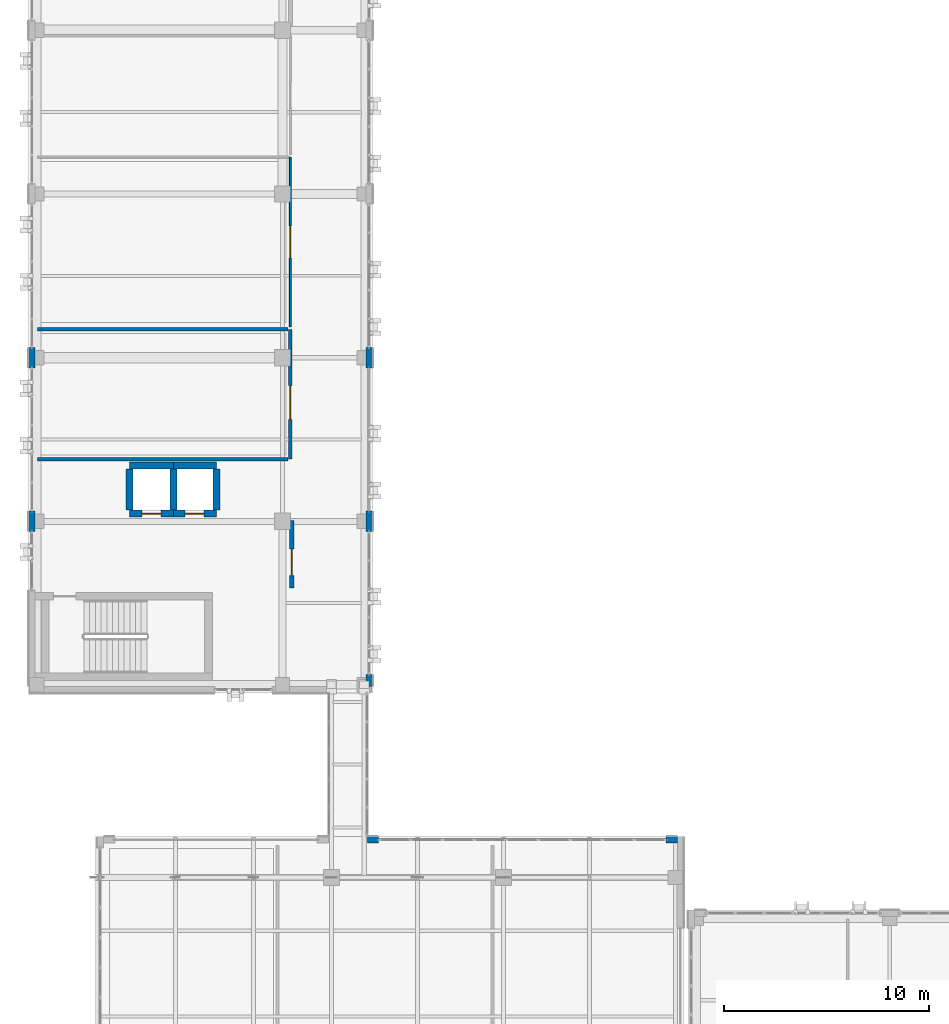
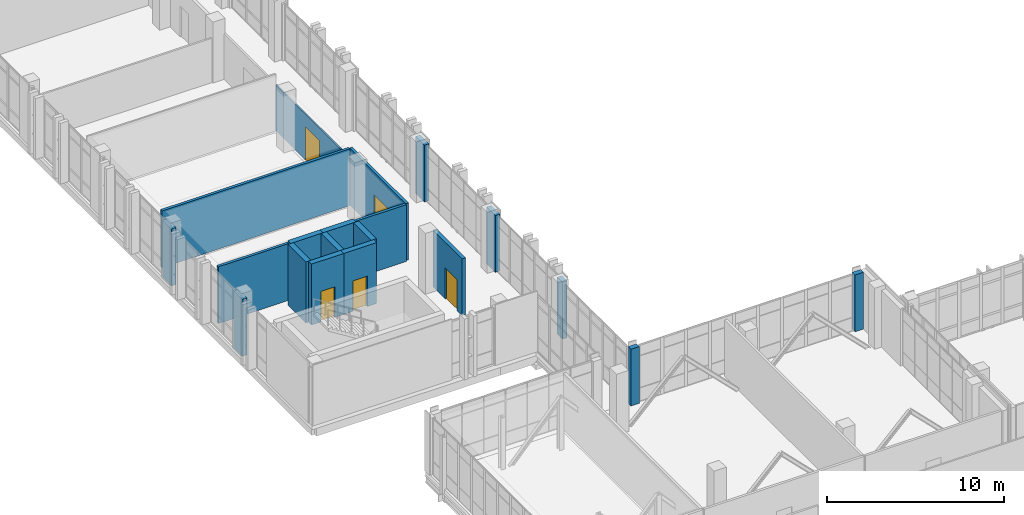
# One storey, part 155 of 193: 19 walls, 5 doors, 5 openings.
"""IFC4 building model written with IfcOpenShell, lengths in metres."""

import ifcopenshell
import ifcopenshell.guid

model = None  # the IFC model being written
_history = None  # IfcOwnerHistory: only IFC2X3 demands one
_inside = {}  # id of a spatial element -> (the spatial element, [elements in it])
_under = {}  # id of a project, library or spatial element -> (it, [spatial elements below it])
_declared = {}  # id of a project -> (the project, [libraries it declares])
_typed = {}  # id of a type object -> (the type object, [elements of that type])
_made_of = {}  # id of a material, layer set ... -> (it, [elements and type objects made of it])


def new_model(schema):
    """Start an empty IFC model of exactly this schema.

    Asked for "IFC4X3", IfcOpenShell would pick the latest addendum, in which some entities
    have other attributes; the version numbers below select the first issue.
    IFC2X3 requires an IfcOwnerHistory on every rooted entity: one is made here for all.
    """
    global model, _history
    if schema == "IFC4X3":
        model = ifcopenshell.file(schema_version=(4, 3, 0, 0))
    else:
        model = ifcopenshell.file(schema=schema)
    _inside.clear()
    _under.clear()
    _declared.clear()
    _typed.clear()
    _made_of.clear()
    _history = None
    if model.schema == "IFC2X3":
        org = make("IfcOrganization", Name="unknown")
        user = make(
            "IfcPersonAndOrganization",
            ThePerson=make("IfcPerson", FamilyName="unknown"),
            TheOrganization=org,
        )
        app = make(
            "IfcApplication",
            ApplicationDeveloper=org,
            Version="unknown",
            ApplicationFullName="unknown",
            ApplicationIdentifier="unknown",
        )
        _history = make(
            "IfcOwnerHistory",
            OwningUser=user,
            OwningApplication=app,
            ChangeAction="ADDED",
            CreationDate=0,
        )
    return model


def make(cls, **values):
    """One entity of the class cls with the attributes given. An attribute that is None is left unset."""
    return model.create_entity(
        cls, **{name: value for name, value in values.items() if value is not None}
    )


def rooted(cls, **values):
    """An entity with a GlobalId (a new one), such as an element, a storey or a relation."""
    return make(cls, GlobalId=ifcopenshell.guid.new(), OwnerHistory=_history, **values)


def si_unit(unit_type, name, prefix=None):
    """IfcSIUnit, for example si_unit("LENGTHUNIT", "METRE", prefix="MILLI")."""
    return make("IfcSIUnit", UnitType=unit_type, Prefix=prefix, Name=name)


def assignment(units):
    """IfcUnitAssignment: the units of a project."""
    return None if units is None else make("IfcUnitAssignment", Units=units)


def point(xyz):
    """IfcCartesianPoint."""
    return None if xyz is None else make("IfcCartesianPoint", Coordinates=xyz)


def direction(xyz):
    """IfcDirection."""
    return None if xyz is None else make("IfcDirection", DirectionRatios=xyz)


def frame(location, z_axis=None, x_axis=None):
    """IfcAxis2Placement3D, a coordinate frame: its origin and axes. An axis left out is left unset."""
    return make(
        "IfcAxis2Placement3D",
        Location=point(location),
        Axis=direction(z_axis),
        RefDirection=direction(x_axis),
    )


def frame_2d(location, x_axis=None):
    """IfcAxis2Placement2D, a coordinate frame in the plane: its origin and x axis."""
    return make(
        "IfcAxis2Placement2D", Location=point(location), RefDirection=direction(x_axis)
    )


def origin():
    """The frame at (0, 0, 0) with its axes left unset."""
    return frame((0.0, 0.0, 0.0))


def place(relative_to, where):
    """IfcLocalPlacement: puts the frame where relative to a parent placement (None: the world)."""
    return make(
        "IfcLocalPlacement", PlacementRelTo=relative_to, RelativePlacement=where
    )


def context(
    kind, dimensions, precision=None, world=None, true_north=None, identifier=None
):
    """IfcGeometricRepresentationContext, for example the 3D "Model" context."""
    return make(
        "IfcGeometricRepresentationContext",
        ContextIdentifier=identifier,
        ContextType=kind,
        CoordinateSpaceDimension=dimensions,
        Precision=precision,
        WorldCoordinateSystem=world,
        TrueNorth=true_north,
    )


def subcontext(parent, identifier, kind, view, scale=None):
    """IfcGeometricRepresentationSubContext, for example "Body" below "Model"."""
    return make(
        "IfcGeometricRepresentationSubContext",
        ContextIdentifier=identifier,
        ContextType=kind,
        ParentContext=parent,
        TargetScale=scale,
        TargetView=view,
    )


def project(units=None, contexts=None):
    """IfcProject with its units and contexts."""
    return rooted(
        "IfcProject",
        Name="project",
        RepresentationContexts=contexts,
        UnitsInContext=assignment(units),
    )


def spatial(cls, under=None, at=None, **own):
    """A site, building, storey or space (cls), placed at a placement, below another one or the project."""
    s = rooted(cls, ObjectPlacement=at, **own)
    if under is not None:
        _under.setdefault(under.id(), (under, []))[1].append(s)
    return s


def profile(cls, at=None, kind="AREA", **sizes):
    """A parametric profile (cls). Its sizes go by their IFC names, for example OverallWidth=200.0."""
    return make(cls, ProfileType=kind, Position=at, **sizes)


def rectangle(**sizes):
    """IfcRectangleProfileDef."""
    return profile("IfcRectangleProfileDef", **sizes)


def extrude(swept, where, along, depth):
    """IfcExtrudedAreaSolid: the profile swept, set in the frame where, extruded along a direction by depth."""
    return make(
        "IfcExtrudedAreaSolid",
        SweptArea=swept,
        Position=where,
        ExtrudedDirection=direction(along),
        Depth=depth,
    )


def shape(context_of_items, identifier, shape_type, items):
    """IfcShapeRepresentation: the items that make up one representation, for example the "Body"."""
    return make(
        "IfcShapeRepresentation",
        ContextOfItems=context_of_items,
        RepresentationIdentifier=identifier,
        RepresentationType=shape_type,
        Items=items,
    )


def material(Name=None, Category=None):
    """IfcMaterial."""
    return make("IfcMaterial", Name=Name, Category=Category)


def layer(
    of_material, thickness, ventilated=None, Name=None, Category=None, Priority=None
):
    """IfcMaterialLayer: one layer of a wall or slab, of a material (None: an air gap)."""
    return make(
        "IfcMaterialLayer",
        Material=of_material,
        LayerThickness=thickness,
        IsVentilated=ventilated,
        Name=Name,
        Category=Category,
        Priority=Priority,
    )


def layer_set(layers, Name=None):
    """IfcMaterialLayerSet."""
    return make("IfcMaterialLayerSet", MaterialLayers=layers, LayerSetName=Name)


def made_of(thing, what):
    """Note that an element or type object is made of a material, layer set ...; save() writes the relation."""
    if what is not None:
        _made_of.setdefault(what.id(), (what, []))[1].append(thing)
    return thing


def type_object(cls, material=None, **own):
    """A type object (cls), such as IfcWallType, which elements share."""
    return made_of(rooted(cls, **own), material)


def element(
    cls,
    number,
    at=None,
    inside=None,
    cuts=None,
    type_object=None,
    material=None,
    context=None,
    identifier="Body",
    shape_type=None,
    held_by="IfcProductDefinitionShape",
    body=None,
    shapes=None,
    **own,
):
    """One element of the class cls, such as IfcWall. Its Tag is "e" and its number.

    at: its placement. inside: the storey or other place that contains it. cuts: it is an
    opening in that element (IfcRelVoidsElement). A single representation is given by context,
    identifier, shape_type and body (its items); several are given by shapes. held_by: the class
    of the entity that holds the representations. save() writes the other relations.
    """
    e = rooted(cls, Tag="e%d" % number, ObjectPlacement=at, **own)
    if body is not None:
        shapes = [shape(context, identifier, shape_type, body)]
    if shapes is not None:
        e.Representation = make(held_by, Representations=shapes)
    if inside is not None:
        _inside.setdefault(inside.id(), (inside, []))[1].append(e)
    if cuts is not None:
        rooted(
            "IfcRelVoidsElement", RelatingBuildingElement=cuts, RelatedOpeningElement=e
        )
    if type_object is not None:
        _typed.setdefault(type_object.id(), (type_object, []))[1].append(e)
    return made_of(e, material)


def fill(opening, filler):
    """IfcRelFillsElement: the door or window that sits in an opening."""
    return rooted(
        "IfcRelFillsElement",
        RelatingOpeningElement=opening,
        RelatedBuildingElement=filler,
    )


def aggregate(whole, parts):
    """IfcRelAggregates: a whole, such as a stair, and the parts it consists of."""
    return rooted("IfcRelAggregates", RelatingObject=whole, RelatedObjects=parts)


def save(model, path):
    """Write the relations noted so far, then the file.

    IfcRelAggregates (storeys below a building ...), IfcRelContainedInSpatialStructure (elements
    in a storey), IfcRelDefinesByType, IfcRelAssociatesMaterial and IfcRelDeclares: one each for
    every whole, place, type object, material and project.
    """
    for whole, parts in _under.values():
        aggregate(whole, parts)
    for where, things in _inside.values():
        rooted(
            "IfcRelContainedInSpatialStructure",
            RelatedElements=things,
            RelatingStructure=where,
        )
    for kind, things in _typed.values():
        rooted("IfcRelDefinesByType", RelatedObjects=things, RelatingType=kind)
    for what, things in _made_of.values():
        rooted("IfcRelAssociatesMaterial", RelatedObjects=things, RelatingMaterial=what)
    for by, libraries in _declared.values():
        rooted("IfcRelDeclares", RelatingContext=by, RelatedDefinitions=libraries)
    model.write(path)


model = new_model("IFC4")

# Units and contexts
model_context = context("Model", 3, precision=1e-05, world=origin(), true_north=direction((0.0, 1.0)))
body_context = subcontext(model_context, "Body", "Model", "MODEL_VIEW")
ifc_project = project(units=[si_unit("LENGTHUNIT", "METRE"), si_unit("AREAUNIT", "SQUARE_METRE"), si_unit("VOLUMEUNIT", "CUBIC_METRE"), si_unit("PLANEANGLEUNIT", "RADIAN"), si_unit("MASSUNIT", "GRAM", prefix="KILO")], contexts=[model_context])

# Site, building, storey
site_placement = place(None, origin())
site = spatial("IfcSite", under=ifc_project, at=site_placement, CompositionType="ELEMENT")
building_placement = place(site_placement, origin())
building = spatial("IfcBuilding", under=site, at=building_placement, Name="Qalavern Law Courts", CompositionType="ELEMENT")
storey_placement = place(building_placement, frame((0.0, 0.0, 10.199951171875)))
storey = spatial("IfcBuildingStorey", under=building, at=storey_placement, Name="L02", CompositionType="ELEMENT", Elevation=10.199951171875)

# Walls
ifc_material_1 = material(Name="Concrete C40/50", Category="concrete")
ifc_layer_1 = layer(ifc_material_1, 0.31005859375)
ifc_layer_set_1 = layer_set([ifc_layer_1], Name="Concrete C40/50")
wall_type_1 = type_object("IfcWallType", Name="ENV-EW-310", PredefinedType="SOLIDWALL", material=ifc_layer_set_1)
for number, where, z_axis, x_axis, name in (
    (1, (33.695068359375, 33.844970703125, 0.0), (0.0, 0.0, 1.0), (-1.0, 0.0, 0.0), "V1 exterior pier wall L02 north 1"),
    (2, (19.10009765625, 33.844970703125, 0.0), (0.0, 0.0, 1.0), (-1.0, 0.0, 0.0), "V1 exterior pier wall L02 north 2"),
):
    element("IfcWall", number, at=place(storey_placement, frame(where, z_axis=z_axis, x_axis=x_axis)), inside=storey, type_object=wall_type_1, Name=name, PredefinedType="SOLIDWALL", context=body_context, shape_type="SweptSolid", body=[
        extrude(rectangle(XDim=0.550048828125, YDim=0.31005859375, at=frame_2d((0.27490234375, 0.0))), origin(), (0.0, 0.0, 1.0), 3.9150390625),
    ])
wall_1_placement = place(storey_placement, frame((18.64501953125, 41.324951171875, 0.0), z_axis=(0.0, 0.0, 1.0), x_axis=(0.0, 1.0, 0.0)))
element("IfcWall", 3, at=wall_1_placement, inside=storey, type_object=wall_type_1, Name="V3 exterior pier wall L02 east 1", PredefinedType="SOLIDWALL", context=body_context, shape_type="SweptSolid", body=[
    extrude(rectangle(XDim=0.594970703125, YDim=0.31005859375, at=frame_2d((0.29736328125, 0.0))), origin(), (0.0, 0.0, 1.0), 3.9150390625),
])
for number, where, z_axis, x_axis, name in (
    (4, (18.64501953125, 48.89990234375, 0.0), (0.0, 0.0, 1.0), (0.0, 1.0, 0.0), "V3 exterior pier wall L02 east 2"),
    (5, (18.64501953125, 56.89990234375, 0.0), (0.0, 0.0, 1.0), (0.0, 1.0, 0.0), "V3 exterior pier wall L02 east 3"),
    (6, (2.155029296875, 57.89990234375, 0.0), (0.0, 0.0, 1.0), (0.0, -1.0, 0.0), "V3 exterior pier wall L02 west 6"),
    (7, (2.155029296875, 49.89990234375, 0.0), (0.0, 0.0, 1.0), (0.0, -1.0, 0.0), "V3 exterior pier wall L02 west 7"),
):
    element("IfcWall", number, at=place(storey_placement, frame(where, z_axis=z_axis, x_axis=x_axis)), inside=storey, type_object=wall_type_1, Name=name, PredefinedType="SOLIDWALL", context=body_context, shape_type="SweptSolid", body=[
        extrude(rectangle(XDim=1.0, YDim=0.31005859375, at=frame_2d((0.5, 0.0))), origin(), (0.0, 0.0, 1.0), 3.9150390625),
    ])

# Wall, opening, door
ifc_layer_2 = layer(ifc_material_1, 0.22509765625)
ifc_layer_set_2 = layer_set([ifc_layer_2], Name="Concrete C40/50")
wall_type_2 = type_object("IfcWallType", Name="INT-FW-225", PredefinedType="PARTITIONING", material=ifc_layer_set_2)
wall_2_placement = place(storey_placement, frame((14.85009765625, 46.14990234375, 0.0), z_axis=(0.0, 0.0, 1.0), x_axis=(0.0, 1.0, 0.0)))
wall_2 = element("IfcWall", 8, at=wall_2_placement, inside=storey, type_object=wall_type_2, Name="Core K2 firefighting/stair lobby fire wall L02", PredefinedType="PARTITIONING", context=body_context, shape_type="SweptSolid", body=[
    extrude(rectangle(XDim=3.300048828125, YDim=0.22509765625, at=frame_2d((1.64990234375, 0.0))), origin(), (0.0, 0.0, 1.0), 3.9150390625),
])
opening_1_placement = place(wall_2_placement, frame((0.60009765625, 0.0, 0.0)))
opening_1 = element("IfcOpeningElement", 9, at=opening_1_placement, cuts=wall_2, Name="Opening L02-D058", PredefinedType="OPENING", context=body_context, shape_type="SweptSolid", body=[
    extrude(rectangle(XDim=1.300048828125, YDim=2.14990234375, at=frame_2d((0.64990234375, 1.074951171875))), frame((0.0, 0.12744140625, 0.0), z_axis=(0.0, -1.0, 0.0), x_axis=(1.0, 0.0, 0.0)), (0.0, 0.0, 1.0), 0.2548828125),
])
ifc_material_2 = material(Name="Steel fire-rated frame and acoustic timber leaves", Category="steel")
door_type_1 = type_object("IfcDoorType", Name="INT-FD-1300x2150", OperationType="DOUBLE_DOOR_SINGLE_SWING", PredefinedType="DOOR", material=ifc_material_2)
door_1_placement = place(opening_1_placement, origin())
door_1 = element("IfcDoor", 10, at=door_1_placement, inside=storey, type_object=door_type_1, Name="Core K2 lobby fire door L02", OperationType="DOUBLE_DOOR_SINGLE_SWING", OverallHeight=2.14990234375, OverallWidth=1.300048828125, PredefinedType="DOOR", context=body_context, shape_type="SweptSolid", body=[
    extrude(rectangle(XDim=1.300048828125, YDim=2.14990234375, at=frame_2d((0.64990234375, 1.074951171875))), frame((0.0, 0.02490234375, 0.0), z_axis=(0.0, -1.0, 0.0), x_axis=(1.0, 0.0, 0.0)), (0.0, 0.0, 1.0), 0.050048828125),
])
fill(opening_1, door_1)

ifc_material_3 = material(Name="Gypsum shaft/chase partition")
ifc_layer_3 = layer(ifc_material_3, 0.092041015625)
ifc_layer_set_3 = layer_set([ifc_layer_3], Name="Gypsum shaft/chase partition")
wall_type_3 = type_object("IfcWallType", Name="INT-PW-092", PredefinedType="PARTITIONING", material=ifc_layer_set_3)
wall_3_placement = place(storey_placement, frame((14.7900390625, 58.907958984375, 0.0), z_axis=(0.0, 0.0, 1.0), x_axis=(0.0, 1.0, 0.0)))
wall_3 = element("IfcWall", 11, at=wall_3_placement, inside=storey, type_object=wall_type_3, Name="Administrative Courtroom corridor partition L02", PredefinedType="PARTITIONING", context=body_context, shape_type="SweptSolid", body=[
    extrude(rectangle(XDim=8.291015625, YDim=0.092041015625, at=frame_2d((4.1455078125, 0.0))), origin(), (0.0, 0.0, 1.0), 3.14501953125),
])
opening_2_placement = place(wall_3_placement, frame((3.345458984375, 0.0, 0.0)))
opening_2 = element("IfcOpeningElement", 12, at=opening_2_placement, cuts=wall_3, Name="Opening L02-D217", PredefinedType="OPENING", context=body_context, shape_type="SweptSolid", body=[
    extrude(rectangle(XDim=1.60009765625, YDim=2.300048828125, at=frame_2d((0.800048828125, 1.14990234375))), frame((0.0, 0.06103515625, 0.0), z_axis=(0.0, -1.0, 0.0), x_axis=(1.0, 0.0, 0.0)), (0.0, 0.0, 1.0), 0.121826171875),
])
ifc_material_4 = material(Name="Acoustic oak double Criminal Courtroom door")
door_type_2 = type_object("IfcDoorType", Name="INT-ID-1600x2300", OperationType="DOUBLE_DOOR_SINGLE_SWING", PredefinedType="DOOR", material=ifc_material_4)
door_2_placement = place(opening_2_placement, frame((1.60009765625, 0.0, 0.0), z_axis=(0.0, 0.0, 1.0), x_axis=(-1.0, 0.0, 0.0)))
door_2 = element("IfcDoor", 13, at=door_2_placement, inside=storey, type_object=door_type_2, Name="Administrative Courtroom door L02", OperationType="DOUBLE_DOOR_SINGLE_SWING", OverallHeight=2.300048828125, OverallWidth=1.60009765625, PredefinedType="DOOR", context=body_context, shape_type="SweptSolid", body=[
    extrude(rectangle(XDim=1.60009765625, YDim=2.300048828125, at=frame_2d((0.800048828125, 1.14990234375))), frame((0.0, 0.02490234375, 0.0), z_axis=(0.0, -1.0, 0.0), x_axis=(1.0, 0.0, 0.0)), (0.0, 0.0, 1.0), 0.050048828125),
])
fill(opening_2, door_2)

ifc_material_5 = material(Name="Gypsum acoustic stud partition")
ifc_layer_4 = layer(ifc_material_5, 0.174072265625)
ifc_layer_set_4 = layer_set([ifc_layer_4], Name="Gypsum acoustic stud partition")
wall_type_4 = type_object("IfcWallType", Name="INT-PW-174", PredefinedType="PARTITIONING", material=ifc_layer_set_4)
wall_4_placement = place(storey_placement, frame((14.7900390625, 52.43994140625, 0.0), z_axis=(0.0, 0.0, 1.0), x_axis=(0.0, 1.0, 0.0)))
wall_4 = element("IfcWall", 14, at=wall_4_placement, inside=storey, type_object=wall_type_4, Name="Criminal Courtroom corridor partition L02", PredefinedType="PARTITIONING", context=body_context, shape_type="SweptSolid", body=[
    extrude(rectangle(XDim=6.34814453125, YDim=0.174072265625, at=frame_2d((3.174072265625, 0.0))), origin(), (0.0, 0.0, 1.0), 3.9150390625),
])
opening_3_placement = place(wall_4_placement, frame((1.948974609375, 0.0, 0.0)))
opening_3 = element("IfcOpeningElement", 15, at=opening_3_placement, cuts=wall_4, Name="Opening L02-D216", PredefinedType="OPENING", context=body_context, shape_type="SweptSolid", body=[
    extrude(rectangle(XDim=1.64990234375, YDim=2.35009765625, at=frame_2d((0.824951171875, 1.175048828125))), frame((0.0, 0.10205078125, 0.0), z_axis=(0.0, -1.0, 0.0), x_axis=(1.0, 0.0, 0.0)), (0.0, 0.0, 1.0), 0.203857421875),
])
ifc_material_6 = material(Name="Acoustic oak double Ceremonial Courtroom door")
door_type_3 = type_object("IfcDoorType", Name="INT-ID-1650x2350", OperationType="DOUBLE_DOOR_SINGLE_SWING", PredefinedType="DOOR", material=ifc_material_6)
door_3_placement = place(opening_3_placement, frame((1.64990234375, 0.0, 0.0), z_axis=(0.0, 0.0, 1.0), x_axis=(-1.0, 0.0, 0.0)))
door_3 = element("IfcDoor", 16, at=door_3_placement, inside=storey, type_object=door_type_3, Name="Criminal Courtroom door L02", OperationType="DOUBLE_DOOR_SINGLE_SWING", OverallHeight=2.35009765625, OverallWidth=1.64990234375, PredefinedType="DOOR", context=body_context, shape_type="SweptSolid", body=[
    extrude(rectangle(XDim=1.64990234375, YDim=2.35009765625, at=frame_2d((0.824951171875, 1.175048828125))), frame((0.0, 0.02490234375, 0.0), z_axis=(0.0, -1.0, 0.0), x_axis=(1.0, 0.0, 0.0)), (0.0, 0.0, 1.0), 0.050048828125),
])
fill(opening_3, door_3)

# Walls
for number, where, z_axis, x_axis, name in (
    (17, (2.43994140625, 52.43994140625, 0.0), (0.0, 0.0, 1.0), (1.0, 0.0, 0.0), "Criminal Courtroom cross partition L02 south"),
    (18, (2.43994140625, 58.7880859375, 0.0), (0.0, 0.0, 1.0), (1.0, 0.0, 0.0), "Criminal Courtroom cross partition L02 north"),
):
    element("IfcWall", number, at=place(storey_placement, frame(where, z_axis=z_axis, x_axis=x_axis)), inside=storey, type_object=wall_type_4, Name=name, PredefinedType="PARTITIONING", context=body_context, shape_type="SweptSolid", body=[
        extrude(rectangle(XDim=12.2431640625, YDim=0.174072265625, at=frame_2d((6.12158203125, 0.0))), origin(), (0.0, 0.0, 1.0), 3.9150390625),
    ])

# Wall, opening, door
ifc_material_7 = material(Name="Concrete C45/55", Category="concrete")
ifc_layer_5 = layer(ifc_material_7, 0.344970703125)
ifc_layer_set_5 = layer_set([ifc_layer_5], Name="Concrete C45/55")
wall_type_5 = type_object("IfcWallType", Name="INT-SW-345", PredefinedType="SHEAR", material=ifc_layer_set_5)
wall_5_placement = place(storey_placement, frame((6.927490234375, 49.777587890625, 0.0), z_axis=(0.0, 0.0, 1.0), x_axis=(1.0, 0.0, 0.0)))
wall_5 = element("IfcWall", 19, at=wall_5_placement, inside=storey, type_object=wall_type_5, Name="Lift LF-C1 shaft wall L02 south", PredefinedType="SHEAR", context=body_context, shape_type="SweptSolid", body=[
    extrude(rectangle(XDim=2.14501953125, YDim=0.344970703125, at=frame_2d((1.072509765625, 0.0))), origin(), (0.0, 0.0, 1.0), 4.199951171875),
])
opening_4_placement = place(wall_5_placement, frame((0.612548828125, 0.0, 0.0)))
opening_4 = element("IfcOpeningElement", 20, at=opening_4_placement, cuts=wall_5, Name="Opening LD-LF-C1-L02", PredefinedType="OPENING", context=body_context, shape_type="SweptSolid", body=[
    extrude(rectangle(XDim=0.919921875, YDim=2.10009765625, at=frame_2d((0.4599609375, 1.050048828125))), frame((0.0, 0.1875, 0.0), z_axis=(0.0, -1.0, 0.0), x_axis=(1.0, 0.0, 0.0)), (0.0, 0.0, 1.0), 0.374755859375),
])
ifc_material_8 = material(Name="Heavy-gauge steel custody lift sliding landing door", Category="steel")
door_type_4 = type_object("IfcDoorType", Name="INT-LD-920x2100", OperationType="SLIDING_TO_LEFT", PredefinedType="DOOR", material=ifc_material_8)
door_4_placement = place(opening_4_placement, origin())
door_4 = element("IfcDoor", 21, at=door_4_placement, inside=storey, type_object=door_type_4, Name="Lift LF-C1 sliding landing door L02", OperationType="SLIDING_TO_LEFT", OverallHeight=2.10009765625, OverallWidth=0.919921875, PredefinedType="DOOR", context=body_context, shape_type="SweptSolid", body=[
    extrude(rectangle(XDim=0.919921875, YDim=2.10009765625, at=frame_2d((0.4599609375, 1.050048828125))), frame((0.0, 0.02490234375, 0.0), z_axis=(0.0, -1.0, 0.0), x_axis=(1.0, 0.0, 0.0)), (0.0, 0.0, 1.0), 0.050048828125),
])
fill(opening_4, door_4)

# Walls
wall_6_placement = place(storey_placement, frame((9.072509765625, 49.949951171875, 0.0), z_axis=(0.0, 0.0, 1.0), x_axis=(0.0, 1.0, 0.0)))
element("IfcWall", 22, at=wall_6_placement, inside=storey, type_object=wall_type_5, Name="Lift LF-C1 shaft wall L02 east", PredefinedType="SHEAR", context=body_context, shape_type="SweptSolid", body=[
    extrude(rectangle(XDim=2.0, YDim=0.344970703125, at=frame_2d((1.0, 0.0))), origin(), (0.0, 0.0, 1.0), 4.199951171875),
])
wall_7_placement = place(storey_placement, frame((9.072509765625, 52.12255859375, 0.0), z_axis=(0.0, 0.0, 1.0), x_axis=(-1.0, 0.0, 0.0)))
element("IfcWall", 23, at=wall_7_placement, inside=storey, type_object=wall_type_5, Name="Lift LF-C1 shaft wall L02 north", PredefinedType="SHEAR", context=body_context, shape_type="SweptSolid", body=[
    extrude(rectangle(XDim=2.14501953125, YDim=0.344970703125, at=frame_2d((1.072509765625, 0.0))), origin(), (0.0, 0.0, 1.0), 4.199951171875),
])
wall_8_placement = place(storey_placement, frame((6.927490234375, 51.949951171875, 0.0), z_axis=(0.0, 0.0, 1.0), x_axis=(0.0, -1.0, 0.0)))
element("IfcWall", 24, at=wall_8_placement, inside=storey, type_object=wall_type_5, Name="Lift LF-C1 shaft wall L02 west", PredefinedType="SHEAR", context=body_context, shape_type="SweptSolid", body=[
    extrude(rectangle(XDim=2.0, YDim=0.344970703125, at=frame_2d((1.0, 0.0))), origin(), (0.0, 0.0, 1.0), 4.199951171875),
])

# Wall, opening, door
wall_9_placement = place(storey_placement, frame((9.027587890625, 49.777587890625, 0.0), z_axis=(0.0, 0.0, 1.0), x_axis=(1.0, 0.0, 0.0)))
wall_9 = element("IfcWall", 25, at=wall_9_placement, inside=storey, type_object=wall_type_5, Name="Lift LF-C2 shaft wall L02 south", PredefinedType="SHEAR", context=body_context, shape_type="SweptSolid", body=[
    extrude(rectangle(XDim=2.14501953125, YDim=0.344970703125, at=frame_2d((1.072509765625, 0.0))), origin(), (0.0, 0.0, 1.0), 4.199951171875),
])
opening_5_placement = place(wall_9_placement, frame((0.612548828125, 0.0, 0.0)))
opening_5 = element("IfcOpeningElement", 26, at=opening_5_placement, cuts=wall_9, Name="Opening LD-LF-C2-L02", PredefinedType="OPENING", context=body_context, shape_type="SweptSolid", body=[
    extrude(rectangle(XDim=0.919921875, YDim=2.10009765625, at=frame_2d((0.4599609375, 1.050048828125))), frame((0.0, 0.1875, 0.0), z_axis=(0.0, -1.0, 0.0), x_axis=(1.0, 0.0, 0.0)), (0.0, 0.0, 1.0), 0.374755859375),
])
door_5_placement = place(opening_5_placement, origin())
door_5 = element("IfcDoor", 27, at=door_5_placement, inside=storey, type_object=door_type_4, Name="Lift LF-C2 sliding landing door L02", OperationType="SLIDING_TO_LEFT", OverallHeight=2.10009765625, OverallWidth=0.919921875, PredefinedType="DOOR", context=body_context, shape_type="SweptSolid", body=[
    extrude(rectangle(XDim=0.919921875, YDim=2.10009765625, at=frame_2d((0.4599609375, 1.050048828125))), frame((0.0, 0.02490234375, 0.0), z_axis=(0.0, -1.0, 0.0), x_axis=(1.0, 0.0, 0.0)), (0.0, 0.0, 1.0), 0.050048828125),
])
fill(opening_5, door_5)

# Walls
wall_10_placement = place(storey_placement, frame((11.172607421875, 49.949951171875, 0.0), z_axis=(0.0, 0.0, 1.0), x_axis=(0.0, 1.0, 0.0)))
element("IfcWall", 28, at=wall_10_placement, inside=storey, type_object=wall_type_5, Name="Lift LF-C2 shaft wall L02 east", PredefinedType="SHEAR", context=body_context, shape_type="SweptSolid", body=[
    extrude(rectangle(XDim=2.0, YDim=0.344970703125, at=frame_2d((1.0, 0.0))), origin(), (0.0, 0.0, 1.0), 4.199951171875),
])
wall_11_placement = place(storey_placement, frame((11.172607421875, 52.12255859375, 0.0), z_axis=(0.0, 0.0, 1.0), x_axis=(-1.0, 0.0, 0.0)))
element("IfcWall", 29, at=wall_11_placement, inside=storey, type_object=wall_type_5, Name="Lift LF-C2 shaft wall L02 north", PredefinedType="SHEAR", context=body_context, shape_type="SweptSolid", body=[
    extrude(rectangle(XDim=2.14501953125, YDim=0.344970703125, at=frame_2d((1.072509765625, 0.0))), origin(), (0.0, 0.0, 1.0), 4.199951171875),
])

save(model, "model.ifc")
